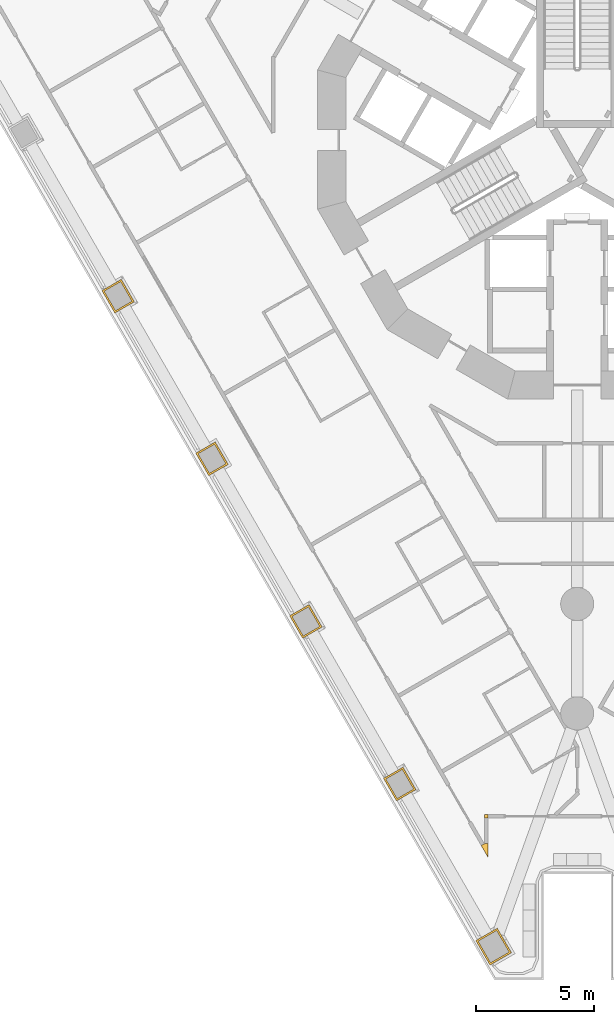
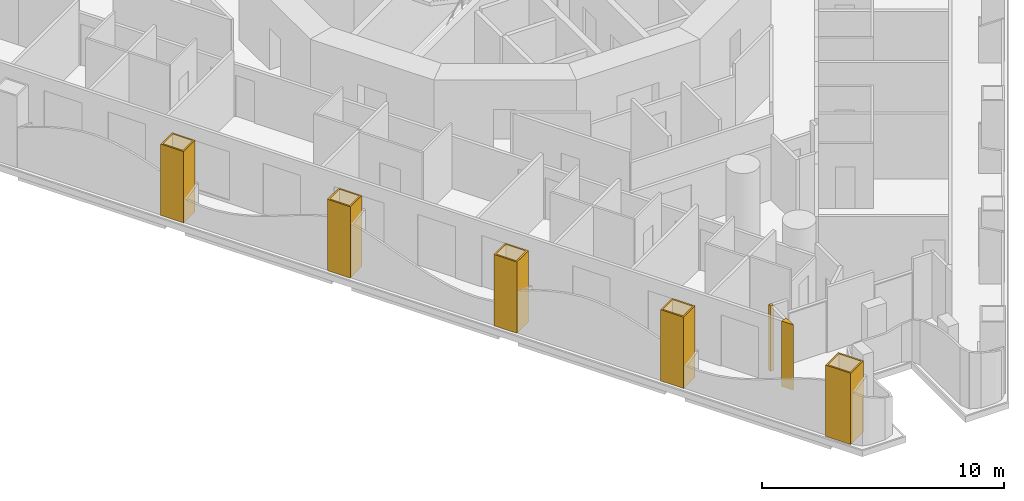
# One storey, part 11 of 19: 7 coverings.
"""IFC4 building model written with IfcOpenShell, lengths in metres."""

from ifc_helpers import new_model, si_unit, direction, frame, origin, place, context, subcontext, project, spatial, polyline, outline, extrude, material, layer, layer_set, type_object, element, save


model = new_model("IFC4")

# Units and contexts
model_context = context("Model", 3, precision=1e-05, world=origin(), true_north=direction((0.0, 1.0)))
body_context = subcontext(model_context, "Body", "Model", "MODEL_VIEW")
ifc_project = project(units=[si_unit("LENGTHUNIT", "METRE"), si_unit("AREAUNIT", "SQUARE_METRE"), si_unit("VOLUMEUNIT", "CUBIC_METRE"), si_unit("PLANEANGLEUNIT", "RADIAN"), si_unit("MASSUNIT", "GRAM", prefix="KILO")], contexts=[model_context])

# Site, building, storey
site_placement = place(None, origin())
site = spatial("IfcSite", under=ifc_project, at=site_placement, CompositionType="ELEMENT")
building_placement = place(site_placement, origin())
building = spatial("IfcBuilding", under=site, at=building_placement, Name="Trine Commons Tower", CompositionType="ELEMENT")
storey_placement = place(building_placement, frame((0.0, 0.0, 31.5)))
storey = spatial("IfcBuildingStorey", under=building, at=storey_placement, Name="L06", CompositionType="ELEMENT", Elevation=31.5)

# Coverings
ifc_material_1 = material(Name="Aluminium-framed insulated wall panel", Category="aluminium")
ifc_layer_1 = layer(ifc_material_1, 0.14990234375)
ifc_layer_set_1 = layer_set([ifc_layer_1], Name="Aluminium-framed insulated wall panel")
covering_type_1 = type_object("IfcCoveringType", Name="Glazing corner post, aluminium", PredefinedType="CLADDING", material=ifc_layer_set_1)
covering_1_placement = place(storey_placement, origin())
element("IfcCovering", 1, at=covering_1_placement, inside=storey, type_object=covering_type_1, Name="Glazing corner post 1-11", PredefinedType="CLADDING", context=body_context, shape_type="SweptSolid", body=[
    extrude(outline(polyline([(76.2099609375, 33.870849609375), (76.06005859375, 33.870849609375), (76.06005859375, 33.720703125), (76.2099609375, 33.720703125), (76.2099609375, 33.870849609375)])), origin(), (0.0, 0.0, 1.0), 3.300048828125),
])
covering_2_placement = place(storey_placement, origin())
element("IfcCovering", 2, at=covering_2_placement, inside=storey, type_object=covering_type_1, Name="Glazing corner post 1-12", PredefinedType="CLADDING", context=body_context, shape_type="SweptSolid", body=[
    extrude(outline(polyline([(75.93017578125, 32.56005859375), (76.2099609375, 32.0751953125), (76.2099609375, 32.635009765625), (76.06005859375, 32.635009765625), (75.93017578125, 32.56005859375)])), origin(), (0.0, 0.0, 1.0), 3.300048828125),
])
ifc_material_2 = material(Name="Limestone, honed", Category="masonry")
ifc_layer_2 = layer(ifc_material_2, 0.074951171875)
ifc_layer_set_2 = layer_set([ifc_layer_2], Name="Limestone, honed")
covering_type_2 = type_object("IfcCoveringType", Name="Limestone column cladding 75", PredefinedType="CLADDING", material=ifc_layer_set_2)
covering_3_placement = place(storey_placement, origin())
element("IfcCovering", 3, at=covering_3_placement, inside=storey, type_object=covering_type_2, Name="Limestone pier cladding 1-01", PredefinedType="CLADDING", context=body_context, shape_type="SweptSolid", body=[
    extrude(outline(polyline([(76.610107421875, 29.052001953125), (75.70068359375, 28.527099609375), (76.30078125, 27.48779296875), (77.210205078125, 28.012939453125), (76.610107421875, 29.052001953125)]), holes=[polyline([(76.582763671875, 28.94970703125), (75.80322265625, 28.499755859375), (76.328369140625, 27.59033203125), (77.107666015625, 28.040283203125), (76.582763671875, 28.94970703125)])]), origin(), (0.0, 0.0, 1.0), 3.60009765625),
])
covering_4_placement = place(storey_placement, origin())
element("IfcCovering", 4, at=covering_4_placement, inside=storey, type_object=covering_type_2, Name="Limestone pier cladding 1-02", PredefinedType="CLADDING", context=body_context, shape_type="SweptSolid", body=[
    extrude(outline(polyline([(72.610107421875, 35.88037109375), (71.787353515625, 35.4052734375), (72.33740234375, 34.45263671875), (73.16015625, 34.927734375), (72.610107421875, 35.88037109375)]), holes=[polyline([(72.582763671875, 35.77783203125), (71.889892578125, 35.3779296875), (72.364990234375, 34.55517578125), (73.0576171875, 34.955078125), (72.582763671875, 35.77783203125)])]), origin(), (0.0, 0.0, 1.0), 3.60009765625),
])
covering_5_placement = place(storey_placement, origin())
element("IfcCovering", 5, at=covering_5_placement, inside=storey, type_object=covering_type_2, Name="Limestone pier cladding 1-03", PredefinedType="CLADDING", context=body_context, shape_type="SweptSolid", body=[
    extrude(outline(polyline([(68.62841796875, 42.77685546875), (67.8056640625, 42.3017578125), (68.355712890625, 41.34912109375), (69.178466796875, 41.82421875), (68.62841796875, 42.77685546875)]), holes=[polyline([(68.60107421875, 42.67431640625), (67.908203125, 42.2744140625), (68.38330078125, 41.45166015625), (69.075927734375, 41.8515625), (68.60107421875, 42.67431640625)])]), origin(), (0.0, 0.0, 1.0), 3.60009765625),
])
covering_6_placement = place(storey_placement, origin())
element("IfcCovering", 6, at=covering_6_placement, inside=storey, type_object=covering_type_2, Name="Limestone pier cladding 1-04", PredefinedType="CLADDING", context=body_context, shape_type="SweptSolid", body=[
    extrude(outline(polyline([(64.64697265625, 49.67333984375), (63.82421875, 49.1982421875), (64.3740234375, 48.24560546875), (65.197021484375, 48.720703125), (64.64697265625, 49.67333984375)]), holes=[polyline([(64.619384765625, 49.57080078125), (63.926513671875, 49.1708984375), (64.401611328125, 48.34814453125), (65.094482421875, 48.748046875), (64.619384765625, 49.57080078125)])]), origin(), (0.0, 0.0, 1.0), 3.60009765625),
])
covering_7_placement = place(storey_placement, origin())
element("IfcCovering", 7, at=covering_7_placement, inside=storey, type_object=covering_type_2, Name="Limestone pier cladding 1-05", PredefinedType="CLADDING", context=body_context, shape_type="SweptSolid", body=[
    extrude(outline(polyline([(60.665283203125, 56.569580078125), (59.84228515625, 56.0947265625), (60.392333984375, 55.14208984375), (61.215087890625, 55.6171875), (60.665283203125, 56.569580078125)]), holes=[polyline([(60.6376953125, 56.46728515625), (59.94482421875, 56.0673828125), (60.419921875, 55.244384765625), (61.11279296875, 55.64453125), (60.6376953125, 56.46728515625)])]), origin(), (0.0, 0.0, 1.0), 3.60009765625),
])

save(model, "model.ifc")
